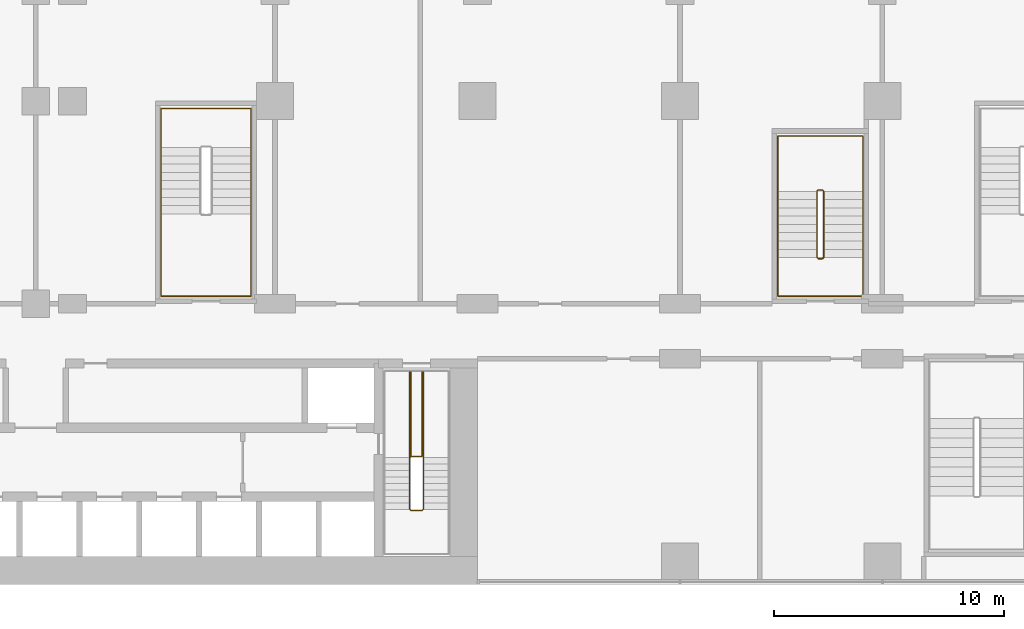
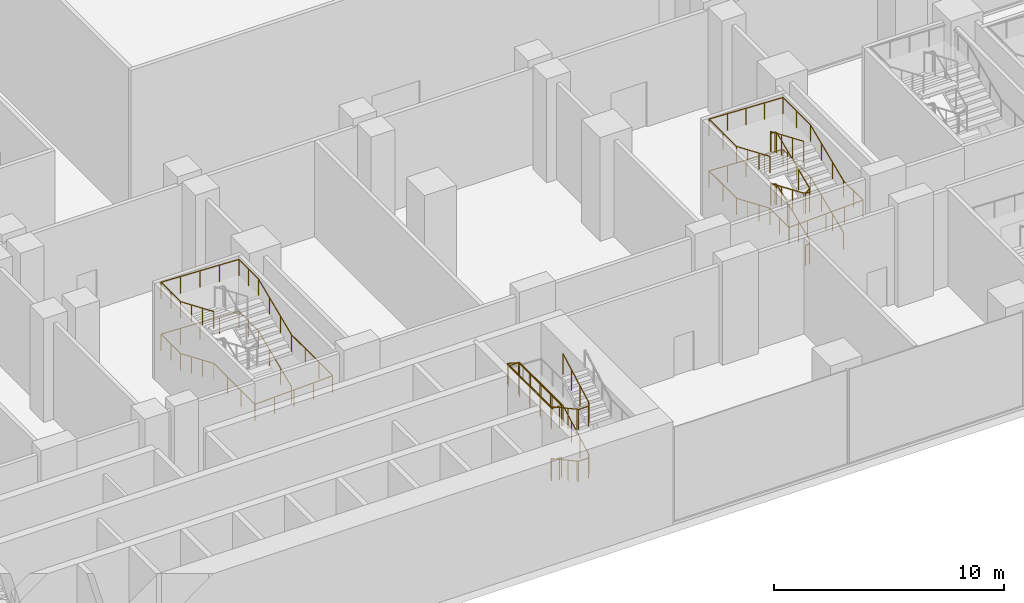
# One storey, part 26 of 30: 4 railings.
"""IFC4 building model written with IfcOpenShell, lengths in metres."""

from ifc_helpers import new_model, si_unit, direction, frame, origin, origin_2d, place, context, subcontext, project, spatial, circle, extrude, material, type_object, element, save


model = new_model("IFC4")

# Units and contexts
model_context = context("Model", 3, precision=1e-05, world=origin(), true_north=direction((0.0, 1.0)))
body_context = subcontext(model_context, "Body", "Model", "MODEL_VIEW")
ifc_project = project(units=[si_unit("LENGTHUNIT", "METRE"), si_unit("AREAUNIT", "SQUARE_METRE"), si_unit("VOLUMEUNIT", "CUBIC_METRE"), si_unit("PLANEANGLEUNIT", "RADIAN"), si_unit("MASSUNIT", "GRAM", prefix="KILO")], contexts=[model_context])

# Site, building, storey
site_placement = place(None, origin())
site = spatial("IfcSite", under=ifc_project, at=site_placement, CompositionType="ELEMENT")
building_placement = place(site_placement, origin())
building = spatial("IfcBuilding", under=site, at=building_placement, Name="Kemantara Hotel Tower", CompositionType="ELEMENT")
storey_placement = place(building_placement, frame((0.0, 0.0, 18.0)))
storey = spatial("IfcBuildingStorey", under=building, at=storey_placement, Name="L03", CompositionType="ELEMENT", Elevation=18.0)

# Railings
ifc_material = material(Name="Stainless steel balustrade", Category="steel")
railing_type_1 = type_object("IfcRailingType", Name="Stair guard 1100 mm", PredefinedType="GUARDRAIL", material=ifc_material)
railing_1_placement = place(storey_placement, frame((42.64990234375, 5.5, 5.5)))
element("IfcRailing", 1, at=railing_1_placement, inside=storey, type_object=railing_type_1, Name="L03 ST2 stair guard 1", PredefinedType="GUARDRAIL", context=body_context, shape_type="SweptSolid", body=[
    extrude(circle(Radius=0.02392578125, at=origin_2d()), frame((0.0, 0.0, 1.076171875), z_axis=(0.0, -0.87783706319, -0.478959382924), x_axis=(1.0, 0.0, 0.0)), (0.0, 0.0, 1.0), 2.5517578125),
    extrude(circle(Radius=0.02392578125, at=origin_2d()), frame((0.0, -2.239990234375, -0.14599609375), z_axis=(-0.295833358201, -0.297283521722, -0.907802363892), x_axis=(0.708833529934, -0.705375805398, 0.0)), (0.0, 0.0, 1.0), 0.16845703125),
    extrude(circle(Radius=0.02392578125, at=origin_2d()), frame((-0.0498046875, -2.2900390625, -0.298828125), z_axis=(-1.0, 0.0, 0.0), x_axis=(0.0, -1.0, 0.0)), (0.0, 0.0, 1.0), 0.5),
    extrude(circle(Radius=0.02392578125, at=origin_2d()), frame((-0.5498046875, -2.2900390625, -0.298828125), z_axis=(-0.707106781187, 0.707106781187, 0.0), x_axis=(-0.707106781187, -0.707106781187, 0.0)), (0.0, 0.0, 1.0), 0.07080078125),
    extrude(circle(Radius=0.02392578125, at=origin_2d()), frame((-0.599853515625, -2.239990234375, -0.298828125), z_axis=(0.0, 0.87783706319, -0.478959382924), x_axis=(-1.0, 0.0, 0.0)), (0.0, 0.0, 1.0), 2.5517578125),
    extrude(circle(Radius=0.02392578125, at=origin_2d()), frame((-0.599853515625, 0.0, -1.52099609375), z_axis=(0.0, 1.0, 0.0), x_axis=(-1.0, 0.0, 0.0)), (0.0, 0.0, 1.0), 3.780029296875),
    extrude(circle(Radius=0.02392578125, at=origin_2d()), frame((-0.599853515625, 3.780029296875, -1.52099609375), z_axis=(0.963499526908, 0.0, -0.267710032776), x_axis=(0.0, 1.0, 0.0)), (0.0, 0.0, 1.0), 0.57080078125),
    extrude(circle(Radius=0.02392578125, at=origin_2d()), frame((-0.0498046875, 3.780029296875, -1.673828125), z_axis=(0.0, -1.0, 0.0), x_axis=(1.0, 0.0, 0.0)), (0.0, 0.0, 1.0), 3.72998046875),
    extrude(circle(Radius=0.02392578125, at=origin_2d()), frame((-0.0498046875, 0.050048828125, -1.673828125), z_axis=(-1.0, 0.0, 0.0), x_axis=(0.0, -1.0, 0.0)), (0.0, 0.0, 1.0), 0.5),
    extrude(circle(Radius=0.02392578125, at=origin_2d()), frame((-0.5498046875, 0.050048828125, -1.673828125), z_axis=(0.0, 1.0, 0.0), x_axis=(-1.0, 0.0, 0.0)), (0.0, 0.0, 1.0), 3.72998046875),
    extrude(circle(Radius=0.02392578125, at=origin_2d()), frame((-0.5498046875, 3.780029296875, -1.673828125), z_axis=(1.0, 0.0, 0.0), x_axis=(0.0, 1.0, 0.0)), (0.0, 0.0, 1.0), 0.5498046875),
    extrude(circle(Radius=0.02392578125, at=origin_2d()), frame((0.0, 3.780029296875, -1.673828125), z_axis=(0.0, -1.0, 0.0), x_axis=(1.0, 0.0, 0.0)), (0.0, 0.0, 1.0), 3.780029296875),
    extrude(circle(Radius=0.02392578125, at=origin_2d()), frame((0.0, 0.0, -1.673828125), z_axis=(0.0, -0.87783706319, -0.478959382924), x_axis=(1.0, 0.0, 0.0)), (0.0, 0.0, 1.0), 2.5517578125),
    extrude(circle(Radius=0.02392578125, at=origin_2d()), frame((0.0, -2.239990234375, -2.89599609375), z_axis=(-0.295833358201, -0.297283521722, -0.907802363892), x_axis=(0.708833529934, -0.705375805398, 0.0)), (0.0, 0.0, 1.0), 0.16845703125),
    extrude(circle(Radius=0.02392578125, at=origin_2d()), frame((-0.0498046875, -2.2900390625, -3.048828125), z_axis=(-1.0, 0.0, 0.0), x_axis=(0.0, -1.0, 0.0)), (0.0, 0.0, 1.0), 0.5),
    extrude(circle(Radius=0.02392578125, at=origin_2d()), frame((-0.5498046875, -2.2900390625, -3.048828125), z_axis=(-0.707106781187, 0.707106781187, 0.0), x_axis=(-0.707106781187, -0.707106781187, 0.0)), (0.0, 0.0, 1.0), 0.07080078125),
    extrude(circle(Radius=0.02392578125, at=origin_2d()), frame((-0.599853515625, -2.239990234375, -3.048828125), z_axis=(0.0, 0.87783706319, -0.478959382924), x_axis=(-1.0, 0.0, 0.0)), (0.0, 0.0, 1.0), 2.5517578125),
    extrude(circle(Radius=0.02392578125, at=origin_2d()), frame((-0.599853515625, 0.0, -4.27099609375), z_axis=(0.297155754911, 0.297155754911, -0.90741220768), x_axis=(-0.707106781187, 0.707106781187, 0.0)), (0.0, 0.0, 1.0), 0.16845703125),
    extrude(circle(Radius=0.02392578125, at=origin_2d()), frame((-0.5498046875, 0.050048828125, -4.423828125), z_axis=(1.0, 0.0, 0.0), x_axis=(0.0, 1.0, 0.0)), (0.0, 0.0, 1.0), 0.5),
    extrude(circle(Radius=0.02099609375, at=origin_2d()), origin(), (0.0, 0.0, 1.0), 1.052001953125),
    extrude(circle(Radius=0.02099609375, at=origin_2d()), frame((0.0, -0.74658203125, -0.407470703125)), (0.0, 0.0, 1.0), 1.052001953125),
    extrude(circle(Radius=0.02099609375, at=origin_2d()), frame((0.0, -1.493408203125, -0.814697265625)), (0.0, 0.0, 1.0), 1.052001953125),
    extrude(circle(Radius=0.02099609375, at=origin_2d()), frame((0.0, -2.239990234375, -1.22216796875)), (0.0, 0.0, 1.0), 1.052001953125),
    extrude(circle(Radius=0.02099609375, at=origin_2d()), frame((-0.0498046875, -2.2900390625, -1.375)), (0.0, 0.0, 1.0), 1.052001953125),
    extrude(circle(Radius=0.02099609375, at=origin_2d()), frame((-0.5498046875, -2.2900390625, -1.375)), (0.0, 0.0, 1.0), 1.052001953125),
    extrude(circle(Radius=0.02099609375, at=origin_2d()), frame((-0.599853515625, -2.239990234375, -1.375)), (0.0, 0.0, 1.0), 1.052001953125),
    extrude(circle(Radius=0.02099609375, at=origin_2d()), frame((-0.599853515625, -1.493408203125, -1.782470703125)), (0.0, 0.0, 1.0), 1.052001953125),
    extrude(circle(Radius=0.02099609375, at=origin_2d()), frame((-0.599853515625, -0.74658203125, -2.189697265625)), (0.0, 0.0, 1.0), 1.052001953125),
    extrude(circle(Radius=0.02099609375, at=origin_2d()), frame((-0.599853515625, 0.0, -2.59716796875)), (0.0, 0.0, 1.0), 1.052001953125),
    extrude(circle(Radius=0.02099609375, at=origin_2d()), frame((-0.599853515625, 0.945068359375, -2.59716796875)), (0.0, 0.0, 1.0), 1.052001953125),
    extrude(circle(Radius=0.02099609375, at=origin_2d()), frame((-0.599853515625, 1.89013671875, -2.59716796875)), (0.0, 0.0, 1.0), 1.052001953125),
    extrude(circle(Radius=0.02099609375, at=origin_2d()), frame((-0.599853515625, 2.8349609375, -2.59716796875)), (0.0, 0.0, 1.0), 1.052001953125),
    extrude(circle(Radius=0.02099609375, at=origin_2d()), frame((-0.599853515625, 3.780029296875, -2.59716796875)), (0.0, 0.0, 1.0), 1.052001953125),
    extrude(circle(Radius=0.02099609375, at=origin_2d()), frame((-0.0498046875, 3.780029296875, -2.75)), (0.0, 0.0, 1.0), 1.052001953125),
    extrude(circle(Radius=0.02099609375, at=origin_2d()), frame((-0.0498046875, 2.84765625, -2.75)), (0.0, 0.0, 1.0), 1.052001953125),
    extrude(circle(Radius=0.02099609375, at=origin_2d()), frame((-0.0498046875, 1.9150390625, -2.75)), (0.0, 0.0, 1.0), 1.052001953125),
    extrude(circle(Radius=0.02099609375, at=origin_2d()), frame((-0.0498046875, 0.982421875, -2.75)), (0.0, 0.0, 1.0), 1.052001953125),
    extrude(circle(Radius=0.02099609375, at=origin_2d()), frame((-0.0498046875, 0.050048828125, -2.75)), (0.0, 0.0, 1.0), 1.052001953125),
    extrude(circle(Radius=0.02099609375, at=origin_2d()), frame((-0.5498046875, 0.050048828125, -2.75)), (0.0, 0.0, 1.0), 1.052001953125),
    extrude(circle(Radius=0.02099609375, at=origin_2d()), frame((-0.5498046875, 0.982421875, -2.75)), (0.0, 0.0, 1.0), 1.052001953125),
    extrude(circle(Radius=0.02099609375, at=origin_2d()), frame((-0.5498046875, 1.9150390625, -2.75)), (0.0, 0.0, 1.0), 1.052001953125),
    extrude(circle(Radius=0.02099609375, at=origin_2d()), frame((-0.5498046875, 2.84765625, -2.75)), (0.0, 0.0, 1.0), 1.052001953125),
    extrude(circle(Radius=0.02099609375, at=origin_2d()), frame((-0.5498046875, 3.780029296875, -2.75)), (0.0, 0.0, 1.0), 1.052001953125),
    extrude(circle(Radius=0.02099609375, at=origin_2d()), frame((0.0, 3.780029296875, -2.75)), (0.0, 0.0, 1.0), 1.052001953125),
    extrude(circle(Radius=0.02099609375, at=origin_2d()), frame((0.0, 2.8349609375, -2.75)), (0.0, 0.0, 1.0), 1.052001953125),
    extrude(circle(Radius=0.02099609375, at=origin_2d()), frame((0.0, 1.89013671875, -2.75)), (0.0, 0.0, 1.0), 1.052001953125),
    extrude(circle(Radius=0.02099609375, at=origin_2d()), frame((0.0, 0.945068359375, -2.75)), (0.0, 0.0, 1.0), 1.052001953125),
    extrude(circle(Radius=0.02099609375, at=origin_2d()), frame((0.0, 0.0, -2.75)), (0.0, 0.0, 1.0), 1.052001953125),
    extrude(circle(Radius=0.02099609375, at=origin_2d()), frame((0.0, -0.74658203125, -3.157470703125)), (0.0, 0.0, 1.0), 1.052001953125),
    extrude(circle(Radius=0.02099609375, at=origin_2d()), frame((0.0, -1.493408203125, -3.564697265625)), (0.0, 0.0, 1.0), 1.052001953125),
    extrude(circle(Radius=0.02099609375, at=origin_2d()), frame((0.0, -2.239990234375, -3.97216796875)), (0.0, 0.0, 1.0), 1.052001953125),
    extrude(circle(Radius=0.02099609375, at=origin_2d()), frame((-0.0498046875, -2.2900390625, -4.125)), (0.0, 0.0, 1.0), 1.052001953125),
    extrude(circle(Radius=0.02099609375, at=origin_2d()), frame((-0.5498046875, -2.2900390625, -4.125)), (0.0, 0.0, 1.0), 1.052001953125),
    extrude(circle(Radius=0.02099609375, at=origin_2d()), frame((-0.599853515625, -2.239990234375, -4.125)), (0.0, 0.0, 1.0), 1.052001953125),
    extrude(circle(Radius=0.02099609375, at=origin_2d()), frame((-0.599853515625, -1.493408203125, -4.532470703125)), (0.0, 0.0, 1.0), 1.052001953125),
    extrude(circle(Radius=0.02099609375, at=origin_2d()), frame((-0.599853515625, -0.74658203125, -4.939697265625)), (0.0, 0.0, 1.0), 1.052001953125),
    extrude(circle(Radius=0.02099609375, at=origin_2d()), frame((-0.599853515625, 0.0, -5.34716796875)), (0.0, 0.0, 1.0), 1.052001953125),
    extrude(circle(Radius=0.02099609375, at=origin_2d()), frame((-0.5498046875, 0.050048828125, -5.5)), (0.0, 0.0, 1.0), 1.052001953125),
    extrude(circle(Radius=0.02099609375, at=origin_2d()), frame((-0.0498046875, 0.050048828125, -5.5)), (0.0, 0.0, 1.0), 1.052001953125),
])
railing_2_placement = place(storey_placement, frame((59.75, 14.199951171875, 5.5)))
element("IfcRailing", 2, at=railing_2_placement, inside=storey, type_object=railing_type_1, Name="L03 ST3 stair guard 1", PredefinedType="GUARDRAIL", context=body_context, shape_type="SweptSolid", body=[
    extrude(circle(Radius=0.02392578125, at=origin_2d()), frame((0.0, 0.0, 1.076171875), z_axis=(0.0, 0.920547772064, -0.390630003133), x_axis=(-1.0, 0.0, 0.0)), (0.0, 0.0, 1.0), 3.128662109375),
    extrude(circle(Radius=0.02392578125, at=origin_2d()), frame((0.0, 2.880126953125, -0.14599609375), z_axis=(0.297283521722, 0.295833358201, -0.907802363892), x_axis=(-0.705375805398, 0.708833529934, 0.0)), (0.0, 0.0, 1.0), 0.16845703125),
    extrude(circle(Radius=0.02392578125, at=origin_2d()), frame((0.050048828125, 2.929931640625, -0.298828125), z_axis=(1.0, 0.0, 0.0), x_axis=(0.0, 1.0, 0.0)), (0.0, 0.0, 1.0), 0.199951171875),
    extrude(circle(Radius=0.02392578125, at=origin_2d()), frame((0.25, 2.929931640625, -0.298828125), z_axis=(0.708833529934, -0.705375805398, 0.0), x_axis=(0.705375805398, 0.708833529934, 0.0)), (0.0, 0.0, 1.0), 0.070556640625),
    extrude(circle(Radius=0.02392578125, at=origin_2d()), frame((0.300048828125, 2.880126953125, -0.298828125), z_axis=(0.0, -0.920547772064, -0.390630003133), x_axis=(1.0, 0.0, 0.0)), (0.0, 0.0, 1.0), 3.128662109375),
    extrude(circle(Radius=0.02392578125, at=origin_2d()), frame((0.300048828125, 0.0, -1.52099609375), z_axis=(-0.841019323802, -0.168368126347, -0.514138766309), x_axis=(0.196300278283, -0.98054382908, 0.0)), (0.0, 0.0, 1.0), 0.29736328125),
    extrude(circle(Radius=0.02392578125, at=origin_2d()), frame((0.050048828125, -0.050048828125, -1.673828125), z_axis=(1.0, 0.0, 0.0), x_axis=(0.0, 1.0, 0.0)), (0.0, 0.0, 1.0), 0.199951171875),
    extrude(circle(Radius=0.02392578125, at=origin_2d()), frame((0.25, -0.050048828125, -1.673828125), z_axis=(-0.98054382908, 0.196300278283, 0.0), x_axis=(-0.196300278283, -0.98054382908, 0.0)), (0.0, 0.0, 1.0), 0.2548828125),
    extrude(circle(Radius=0.02392578125, at=origin_2d()), frame((0.0, 0.0, -1.673828125), z_axis=(0.0, 0.920547772064, -0.390630003133), x_axis=(-1.0, 0.0, 0.0)), (0.0, 0.0, 1.0), 3.128662109375),
    extrude(circle(Radius=0.02392578125, at=origin_2d()), frame((0.0, 2.880126953125, -2.89599609375), z_axis=(0.297283521722, 0.295833358201, -0.907802363892), x_axis=(-0.705375805398, 0.708833529934, 0.0)), (0.0, 0.0, 1.0), 0.16845703125),
    extrude(circle(Radius=0.02392578125, at=origin_2d()), frame((0.050048828125, 2.929931640625, -3.048828125), z_axis=(1.0, 0.0, 0.0), x_axis=(0.0, 1.0, 0.0)), (0.0, 0.0, 1.0), 0.199951171875),
    extrude(circle(Radius=0.02392578125, at=origin_2d()), frame((0.25, 2.929931640625, -3.048828125), z_axis=(0.708833529934, -0.705375805398, 0.0), x_axis=(0.705375805398, 0.708833529934, 0.0)), (0.0, 0.0, 1.0), 0.070556640625),
    extrude(circle(Radius=0.02392578125, at=origin_2d()), frame((0.300048828125, 2.880126953125, -3.048828125), z_axis=(0.0, -0.920547772064, -0.390630003133), x_axis=(1.0, 0.0, 0.0)), (0.0, 0.0, 1.0), 3.128662109375),
    extrude(circle(Radius=0.02392578125, at=origin_2d()), frame((0.300048828125, 0.0, -4.27099609375), z_axis=(-0.297155754911, -0.297155754911, -0.90741220768), x_axis=(0.707106781187, -0.707106781187, 0.0)), (0.0, 0.0, 1.0), 0.16845703125),
    extrude(circle(Radius=0.02392578125, at=origin_2d()), frame((0.25, -0.050048828125, -4.423828125), z_axis=(-1.0, 0.0, 0.0), x_axis=(0.0, -1.0, 0.0)), (0.0, 0.0, 1.0), 0.199951171875),
    extrude(circle(Radius=0.02099609375, at=origin_2d()), origin(), (0.0, 0.0, 1.0), 1.052001953125),
    extrude(circle(Radius=0.02099609375, at=origin_2d()), frame((0.0, 0.9599609375, -0.407470703125)), (0.0, 0.0, 1.0), 1.052001953125),
    extrude(circle(Radius=0.02099609375, at=origin_2d()), frame((0.0, 1.920166015625, -0.814697265625)), (0.0, 0.0, 1.0), 1.052001953125),
    extrude(circle(Radius=0.02099609375, at=origin_2d()), frame((0.0, 2.880126953125, -1.22216796875)), (0.0, 0.0, 1.0), 1.052001953125),
    extrude(circle(Radius=0.02099609375, at=origin_2d()), frame((0.050048828125, 2.929931640625, -1.375)), (0.0, 0.0, 1.0), 1.052001953125),
    extrude(circle(Radius=0.02099609375, at=origin_2d()), frame((0.25, 2.929931640625, -1.375)), (0.0, 0.0, 1.0), 1.052001953125),
    extrude(circle(Radius=0.02099609375, at=origin_2d()), frame((0.300048828125, 2.880126953125, -1.375)), (0.0, 0.0, 1.0), 1.052001953125),
    extrude(circle(Radius=0.02099609375, at=origin_2d()), frame((0.300048828125, 1.920166015625, -1.782470703125)), (0.0, 0.0, 1.0), 1.052001953125),
    extrude(circle(Radius=0.02099609375, at=origin_2d()), frame((0.300048828125, 0.9599609375, -2.189697265625)), (0.0, 0.0, 1.0), 1.052001953125),
    extrude(circle(Radius=0.02099609375, at=origin_2d()), frame((0.300048828125, 0.0, -2.59716796875)), (0.0, 0.0, 1.0), 1.052001953125),
    extrude(circle(Radius=0.02099609375, at=origin_2d()), frame((0.050048828125, -0.050048828125, -2.75)), (0.0, 0.0, 1.0), 1.052001953125),
    extrude(circle(Radius=0.02099609375, at=origin_2d()), frame((0.25, -0.050048828125, -2.75)), (0.0, 0.0, 1.0), 1.052001953125),
    extrude(circle(Radius=0.02099609375, at=origin_2d()), frame((0.0, 0.0, -2.75)), (0.0, 0.0, 1.0), 1.052001953125),
    extrude(circle(Radius=0.02099609375, at=origin_2d()), frame((0.0, 0.9599609375, -3.157470703125)), (0.0, 0.0, 1.0), 1.052001953125),
    extrude(circle(Radius=0.02099609375, at=origin_2d()), frame((0.0, 1.920166015625, -3.564697265625)), (0.0, 0.0, 1.0), 1.052001953125),
    extrude(circle(Radius=0.02099609375, at=origin_2d()), frame((0.0, 2.880126953125, -3.97216796875)), (0.0, 0.0, 1.0), 1.052001953125),
    extrude(circle(Radius=0.02099609375, at=origin_2d()), frame((0.050048828125, 2.929931640625, -4.125)), (0.0, 0.0, 1.0), 1.052001953125),
    extrude(circle(Radius=0.02099609375, at=origin_2d()), frame((0.25, 2.929931640625, -4.125)), (0.0, 0.0, 1.0), 1.052001953125),
    extrude(circle(Radius=0.02099609375, at=origin_2d()), frame((0.300048828125, 2.880126953125, -4.125)), (0.0, 0.0, 1.0), 1.052001953125),
    extrude(circle(Radius=0.02099609375, at=origin_2d()), frame((0.300048828125, 1.920166015625, -4.532470703125)), (0.0, 0.0, 1.0), 1.052001953125),
    extrude(circle(Radius=0.02099609375, at=origin_2d()), frame((0.300048828125, 0.9599609375, -4.939697265625)), (0.0, 0.0, 1.0), 1.052001953125),
    extrude(circle(Radius=0.02099609375, at=origin_2d()), frame((0.300048828125, 0.0, -5.34716796875)), (0.0, 0.0, 1.0), 1.052001953125),
    extrude(circle(Radius=0.02099609375, at=origin_2d()), frame((0.25, -0.050048828125, -5.5)), (0.0, 0.0, 1.0), 1.052001953125),
    extrude(circle(Radius=0.02099609375, at=origin_2d()), frame((0.050048828125, -0.050048828125, -5.5)), (0.0, 0.0, 1.0), 1.052001953125),
])
railing_type_2 = type_object("IfcRailingType", Name="Stair handrail 900 mm", PredefinedType="HANDRAIL", material=ifc_material)
railing_3_placement = place(storey_placement, frame((61.75, 14.199951171875, 0.15283203125)))
element("IfcRailing", 3, at=railing_3_placement, inside=storey, type_object=railing_type_2, Name="L03 ST3 stair handrail 1", PredefinedType="HANDRAIL", context=body_context, shape_type="SweptSolid", body=[
    extrude(circle(Radius=0.02392578125, at=origin_2d()), frame((0.0, 0.0, 0.8759765625), z_axis=(0.0, 0.920547772064, 0.390630003133), x_axis=(-1.0, 0.0, 0.0)), (0.0, 0.0, 1.0), 3.128662109375),
    extrude(circle(Radius=0.02392578125, at=origin_2d()), frame((0.0, 2.880126953125, 2.09814453125), z_axis=(0.0, 1.0, 0.0), x_axis=(-1.0, 0.0, 0.0)), (0.0, 0.0, 1.0), 2.39990234375),
    extrude(circle(Radius=0.02392578125, at=origin_2d()), frame((0.0, 5.280029296875, 2.09814453125), z_axis=(-0.999147976703, 0.0, 0.041271305405), x_axis=(0.0, -1.0, 0.0)), (0.0, 0.0, 1.0), 3.703125),
    extrude(circle(Radius=0.02392578125, at=origin_2d()), frame((-3.699951171875, 5.280029296875, 2.2509765625), z_axis=(0.0, -1.0, 0.0), x_axis=(1.0, 0.0, 0.0)), (0.0, 0.0, 1.0), 2.39990234375),
    extrude(circle(Radius=0.02392578125, at=origin_2d()), frame((-3.699951171875, 2.880126953125, 2.2509765625), z_axis=(0.0, -0.920547772064, 0.390630003133), x_axis=(1.0, 0.0, 0.0)), (0.0, 0.0, 1.0), 3.128662109375),
    extrude(circle(Radius=0.02392578125, at=origin_2d()), frame((-3.699951171875, 0.0, 3.47314453125), z_axis=(0.0, -1.0, 0.0), x_axis=(1.0, 0.0, 0.0)), (0.0, 0.0, 1.0), 1.679931640625),
    extrude(circle(Radius=0.02392578125, at=origin_2d()), frame((-3.699951171875, -1.679931640625, 3.47314453125), z_axis=(0.999147976703, 0.0, 0.041271305405), x_axis=(0.0, 1.0, 0.0)), (0.0, 0.0, 1.0), 3.703125),
    extrude(circle(Radius=0.02392578125, at=origin_2d()), frame((0.0, -1.679931640625, 3.6259765625), z_axis=(0.0, 1.0, 0.0), x_axis=(-1.0, 0.0, 0.0)), (0.0, 0.0, 1.0), 1.679931640625),
    extrude(circle(Radius=0.02392578125, at=origin_2d()), frame((0.0, 0.0, 3.6259765625), z_axis=(0.0, 0.920547772064, 0.390630003133), x_axis=(-1.0, 0.0, 0.0)), (0.0, 0.0, 1.0), 3.128662109375),
    extrude(circle(Radius=0.02392578125, at=origin_2d()), frame((0.0, 2.880126953125, 4.84814453125), z_axis=(0.0, 1.0, 0.0), x_axis=(-1.0, 0.0, 0.0)), (0.0, 0.0, 1.0), 2.39990234375),
    extrude(circle(Radius=0.02392578125, at=origin_2d()), frame((0.0, 5.280029296875, 4.84814453125), z_axis=(-0.999147976703, 0.0, 0.041271305405), x_axis=(0.0, -1.0, 0.0)), (0.0, 0.0, 1.0), 3.703125),
    extrude(circle(Radius=0.02392578125, at=origin_2d()), frame((-3.699951171875, 5.280029296875, 5.0009765625), z_axis=(0.0, -1.0, 0.0), x_axis=(1.0, 0.0, 0.0)), (0.0, 0.0, 1.0), 2.39990234375),
    extrude(circle(Radius=0.02392578125, at=origin_2d()), frame((-3.699951171875, 2.880126953125, 5.0009765625), z_axis=(0.0, -0.920547772064, 0.390630003133), x_axis=(1.0, 0.0, 0.0)), (0.0, 0.0, 1.0), 3.128662109375),
    extrude(circle(Radius=0.02099609375, at=origin_2d()), origin(), (0.0, 0.0, 1.0), 0.851806640625),
    extrude(circle(Radius=0.02099609375, at=origin_2d()), frame((0.0, 0.9599609375, 0.407470703125)), (0.0, 0.0, 1.0), 0.851806640625),
    extrude(circle(Radius=0.02099609375, at=origin_2d()), frame((0.0, 1.920166015625, 0.814697265625)), (0.0, 0.0, 1.0), 0.851806640625),
    extrude(circle(Radius=0.02099609375, at=origin_2d()), frame((0.0, 2.880126953125, 1.22216796875)), (0.0, 0.0, 1.0), 0.851806640625),
    extrude(circle(Radius=0.02099609375, at=origin_2d()), frame((0.0, 4.080078125, 1.22216796875)), (0.0, 0.0, 1.0), 0.851806640625),
    extrude(circle(Radius=0.02099609375, at=origin_2d()), frame((0.0, 5.280029296875, 1.22216796875)), (0.0, 0.0, 1.0), 0.851806640625),
    extrude(circle(Radius=0.02099609375, at=origin_2d()), frame((-0.925048828125, 5.280029296875, 1.26025390625)), (0.0, 0.0, 1.0), 0.851806640625),
    extrude(circle(Radius=0.02099609375, at=origin_2d()), frame((-1.85009765625, 5.280029296875, 1.298583984375)), (0.0, 0.0, 1.0), 0.851806640625),
    extrude(circle(Radius=0.02099609375, at=origin_2d()), frame((-2.77490234375, 5.280029296875, 1.3369140625)), (0.0, 0.0, 1.0), 0.851806640625),
    extrude(circle(Radius=0.02099609375, at=origin_2d()), frame((-3.699951171875, 5.280029296875, 1.375)), (0.0, 0.0, 1.0), 0.851806640625),
    extrude(circle(Radius=0.02099609375, at=origin_2d()), frame((-3.699951171875, 4.080078125, 1.375)), (0.0, 0.0, 1.0), 0.851806640625),
    extrude(circle(Radius=0.02099609375, at=origin_2d()), frame((-3.699951171875, 2.880126953125, 1.375)), (0.0, 0.0, 1.0), 0.851806640625),
    extrude(circle(Radius=0.02099609375, at=origin_2d()), frame((-3.699951171875, 1.920166015625, 1.782470703125)), (0.0, 0.0, 1.0), 0.851806640625),
    extrude(circle(Radius=0.02099609375, at=origin_2d()), frame((-3.699951171875, 0.9599609375, 2.189697265625)), (0.0, 0.0, 1.0), 0.851806640625),
    extrude(circle(Radius=0.02099609375, at=origin_2d()), frame((-3.699951171875, 0.0, 2.59716796875)), (0.0, 0.0, 1.0), 0.851806640625),
    extrude(circle(Radius=0.02099609375, at=origin_2d()), frame((-3.699951171875, -0.83984375, 2.59716796875)), (0.0, 0.0, 1.0), 0.851806640625),
    extrude(circle(Radius=0.02099609375, at=origin_2d()), frame((-3.699951171875, -1.679931640625, 2.59716796875)), (0.0, 0.0, 1.0), 0.851806640625),
    extrude(circle(Radius=0.02099609375, at=origin_2d()), frame((-2.77490234375, -1.679931640625, 2.63525390625)), (0.0, 0.0, 1.0), 0.851806640625),
    extrude(circle(Radius=0.02099609375, at=origin_2d()), frame((-1.85009765625, -1.679931640625, 2.673583984375)), (0.0, 0.0, 1.0), 0.851806640625),
    extrude(circle(Radius=0.02099609375, at=origin_2d()), frame((-0.925048828125, -1.679931640625, 2.7119140625)), (0.0, 0.0, 1.0), 0.851806640625),
    extrude(circle(Radius=0.02099609375, at=origin_2d()), frame((0.0, -1.679931640625, 2.75)), (0.0, 0.0, 1.0), 0.851806640625),
    extrude(circle(Radius=0.02099609375, at=origin_2d()), frame((0.0, -0.83984375, 2.75)), (0.0, 0.0, 1.0), 0.851806640625),
    extrude(circle(Radius=0.02099609375, at=origin_2d()), frame((0.0, 0.0, 2.75)), (0.0, 0.0, 1.0), 0.851806640625),
    extrude(circle(Radius=0.02099609375, at=origin_2d()), frame((0.0, 0.9599609375, 3.157470703125)), (0.0, 0.0, 1.0), 0.851806640625),
    extrude(circle(Radius=0.02099609375, at=origin_2d()), frame((0.0, 1.920166015625, 3.564697265625)), (0.0, 0.0, 1.0), 0.851806640625),
    extrude(circle(Radius=0.02099609375, at=origin_2d()), frame((0.0, 2.880126953125, 3.97216796875)), (0.0, 0.0, 1.0), 0.851806640625),
    extrude(circle(Radius=0.02099609375, at=origin_2d()), frame((0.0, 4.080078125, 3.97216796875)), (0.0, 0.0, 1.0), 0.851806640625),
    extrude(circle(Radius=0.02099609375, at=origin_2d()), frame((0.0, 5.280029296875, 3.97216796875)), (0.0, 0.0, 1.0), 0.851806640625),
    extrude(circle(Radius=0.02099609375, at=origin_2d()), frame((-0.925048828125, 5.280029296875, 4.01025390625)), (0.0, 0.0, 1.0), 0.851806640625),
    extrude(circle(Radius=0.02099609375, at=origin_2d()), frame((-1.85009765625, 5.280029296875, 4.048583984375)), (0.0, 0.0, 1.0), 0.851806640625),
    extrude(circle(Radius=0.02099609375, at=origin_2d()), frame((-2.77490234375, 5.280029296875, 4.0869140625)), (0.0, 0.0, 1.0), 0.851806640625),
    extrude(circle(Radius=0.02099609375, at=origin_2d()), frame((-3.699951171875, 5.280029296875, 4.125)), (0.0, 0.0, 1.0), 0.851806640625),
    extrude(circle(Radius=0.02099609375, at=origin_2d()), frame((-3.699951171875, 4.080078125, 4.125)), (0.0, 0.0, 1.0), 0.851806640625),
    extrude(circle(Radius=0.02099609375, at=origin_2d()), frame((-3.699951171875, 2.880126953125, 4.125)), (0.0, 0.0, 1.0), 0.851806640625),
    extrude(circle(Radius=0.02099609375, at=origin_2d()), frame((-3.699951171875, 1.920166015625, 4.532470703125)), (0.0, 0.0, 1.0), 0.851806640625),
    extrude(circle(Radius=0.02099609375, at=origin_2d()), frame((-3.699951171875, 0.9599609375, 4.939697265625)), (0.0, 0.0, 1.0), 0.851806640625),
    extrude(circle(Radius=0.02099609375, at=origin_2d()), frame((-3.699951171875, 0.0, 5.34716796875)), (0.0, 0.0, 1.0), 0.851806640625),
])
railing_4_placement = place(storey_placement, frame((35.14990234375, 16.10009765625, 0.15283203125)))
element("IfcRailing", 4, at=railing_4_placement, inside=storey, type_object=railing_type_2, Name="L03 PS3 stair handrail 1", PredefinedType="HANDRAIL", context=body_context, shape_type="SweptSolid", body=[
    extrude(circle(Radius=0.02392578125, at=origin_2d()), frame((0.0, 0.0, 0.8759765625), z_axis=(0.0, 0.920535863683, 0.390658064903), x_axis=(-1.0, 0.0, 0.0)), (0.0, 0.0, 1.0), 3.12841796875),
    extrude(circle(Radius=0.02392578125, at=origin_2d()), frame((0.0, 2.8798828125, 2.09814453125), z_axis=(0.0, 1.0, 0.0), x_axis=(-1.0, 0.0, 0.0)), (0.0, 0.0, 1.0), 1.699951171875),
    extrude(circle(Radius=0.02392578125, at=origin_2d()), frame((0.0, 4.579833984375, 2.09814453125), z_axis=(-0.999233006938, 0.0, 0.039158624161), x_axis=(0.0, -1.0, 0.0)), (0.0, 0.0, 1.0), 3.90283203125),
    extrude(circle(Radius=0.02392578125, at=origin_2d()), frame((-3.89990234375, 4.579833984375, 2.2509765625), z_axis=(0.0, -1.0, 0.0), x_axis=(1.0, 0.0, 0.0)), (0.0, 0.0, 1.0), 1.699951171875),
    extrude(circle(Radius=0.02392578125, at=origin_2d()), frame((-3.89990234375, 2.8798828125, 2.2509765625), z_axis=(0.0, -0.920535863683, 0.390658064903), x_axis=(1.0, 0.0, 0.0)), (0.0, 0.0, 1.0), 3.12841796875),
    extrude(circle(Radius=0.02392578125, at=origin_2d()), frame((-3.89990234375, 0.0, 3.47314453125), z_axis=(0.0, -1.0, 0.0), x_axis=(1.0, 0.0, 0.0)), (0.0, 0.0, 1.0), 3.580078125),
    extrude(circle(Radius=0.02392578125, at=origin_2d()), frame((-3.89990234375, -3.580078125, 3.47314453125), z_axis=(0.999233006938, 0.0, 0.039158624161), x_axis=(0.0, 1.0, 0.0)), (0.0, 0.0, 1.0), 3.90283203125),
    extrude(circle(Radius=0.02392578125, at=origin_2d()), frame((0.0, -3.580078125, 3.6259765625), z_axis=(0.0, 1.0, 0.0), x_axis=(-1.0, 0.0, 0.0)), (0.0, 0.0, 1.0), 3.580078125),
    extrude(circle(Radius=0.02392578125, at=origin_2d()), frame((0.0, 0.0, 3.6259765625), z_axis=(0.0, 0.920535863683, 0.390658064903), x_axis=(-1.0, 0.0, 0.0)), (0.0, 0.0, 1.0), 3.12841796875),
    extrude(circle(Radius=0.02392578125, at=origin_2d()), frame((0.0, 2.8798828125, 4.84814453125), z_axis=(0.0, 1.0, 0.0), x_axis=(-1.0, 0.0, 0.0)), (0.0, 0.0, 1.0), 1.699951171875),
    extrude(circle(Radius=0.02392578125, at=origin_2d()), frame((0.0, 4.579833984375, 4.84814453125), z_axis=(-0.999233006938, 0.0, 0.039158624161), x_axis=(0.0, -1.0, 0.0)), (0.0, 0.0, 1.0), 3.90283203125),
    extrude(circle(Radius=0.02392578125, at=origin_2d()), frame((-3.89990234375, 4.579833984375, 5.0009765625), z_axis=(0.0, -1.0, 0.0), x_axis=(1.0, 0.0, 0.0)), (0.0, 0.0, 1.0), 1.699951171875),
    extrude(circle(Radius=0.02392578125, at=origin_2d()), frame((-3.89990234375, 2.8798828125, 5.0009765625), z_axis=(0.0, -0.920535863683, 0.390658064903), x_axis=(1.0, 0.0, 0.0)), (0.0, 0.0, 1.0), 3.12841796875),
    extrude(circle(Radius=0.02099609375, at=origin_2d()), origin(), (0.0, 0.0, 1.0), 0.851806640625),
    extrude(circle(Radius=0.02099609375, at=origin_2d()), frame((0.0, 0.9599609375, 0.407470703125)), (0.0, 0.0, 1.0), 0.851806640625),
    extrude(circle(Radius=0.02099609375, at=origin_2d()), frame((0.0, 1.919921875, 0.814697265625)), (0.0, 0.0, 1.0), 0.851806640625),
    extrude(circle(Radius=0.02099609375, at=origin_2d()), frame((0.0, 2.8798828125, 1.22216796875)), (0.0, 0.0, 1.0), 0.851806640625),
    extrude(circle(Radius=0.02099609375, at=origin_2d()), frame((0.0, 3.72998046875, 1.22216796875)), (0.0, 0.0, 1.0), 0.851806640625),
    extrude(circle(Radius=0.02099609375, at=origin_2d()), frame((0.0, 4.579833984375, 1.22216796875)), (0.0, 0.0, 1.0), 0.851806640625),
    extrude(circle(Radius=0.02099609375, at=origin_2d()), frame((-0.97509765625, 4.579833984375, 1.26025390625)), (0.0, 0.0, 1.0), 0.851806640625),
    extrude(circle(Radius=0.02099609375, at=origin_2d()), frame((-1.949951171875, 4.579833984375, 1.298583984375)), (0.0, 0.0, 1.0), 0.851806640625),
    extrude(circle(Radius=0.02099609375, at=origin_2d()), frame((-2.9248046875, 4.579833984375, 1.3369140625)), (0.0, 0.0, 1.0), 0.851806640625),
    extrude(circle(Radius=0.02099609375, at=origin_2d()), frame((-3.89990234375, 4.579833984375, 1.375)), (0.0, 0.0, 1.0), 0.851806640625),
    extrude(circle(Radius=0.02099609375, at=origin_2d()), frame((-3.89990234375, 3.72998046875, 1.375)), (0.0, 0.0, 1.0), 0.851806640625),
    extrude(circle(Radius=0.02099609375, at=origin_2d()), frame((-3.89990234375, 2.8798828125, 1.375)), (0.0, 0.0, 1.0), 0.851806640625),
    extrude(circle(Radius=0.02099609375, at=origin_2d()), frame((-3.89990234375, 1.919921875, 1.782470703125)), (0.0, 0.0, 1.0), 0.851806640625),
    extrude(circle(Radius=0.02099609375, at=origin_2d()), frame((-3.89990234375, 0.9599609375, 2.189697265625)), (0.0, 0.0, 1.0), 0.851806640625),
    extrude(circle(Radius=0.02099609375, at=origin_2d()), frame((-3.89990234375, 0.0, 2.59716796875)), (0.0, 0.0, 1.0), 0.851806640625),
    extrude(circle(Radius=0.02099609375, at=origin_2d()), frame((-3.89990234375, -1.193359375, 2.59716796875)), (0.0, 0.0, 1.0), 0.851806640625),
    extrude(circle(Radius=0.02099609375, at=origin_2d()), frame((-3.89990234375, -2.38671875, 2.59716796875)), (0.0, 0.0, 1.0), 0.851806640625),
    extrude(circle(Radius=0.02099609375, at=origin_2d()), frame((-3.89990234375, -3.580078125, 2.59716796875)), (0.0, 0.0, 1.0), 0.851806640625),
    extrude(circle(Radius=0.02099609375, at=origin_2d()), frame((-2.9248046875, -3.580078125, 2.63525390625)), (0.0, 0.0, 1.0), 0.851806640625),
    extrude(circle(Radius=0.02099609375, at=origin_2d()), frame((-1.949951171875, -3.580078125, 2.673583984375)), (0.0, 0.0, 1.0), 0.851806640625),
    extrude(circle(Radius=0.02099609375, at=origin_2d()), frame((-0.97509765625, -3.580078125, 2.7119140625)), (0.0, 0.0, 1.0), 0.851806640625),
    extrude(circle(Radius=0.02099609375, at=origin_2d()), frame((0.0, -3.580078125, 2.75)), (0.0, 0.0, 1.0), 0.851806640625),
    extrude(circle(Radius=0.02099609375, at=origin_2d()), frame((0.0, -2.38671875, 2.75)), (0.0, 0.0, 1.0), 0.851806640625),
    extrude(circle(Radius=0.02099609375, at=origin_2d()), frame((0.0, -1.193359375, 2.75)), (0.0, 0.0, 1.0), 0.851806640625),
    extrude(circle(Radius=0.02099609375, at=origin_2d()), frame((0.0, 0.0, 2.75)), (0.0, 0.0, 1.0), 0.851806640625),
    extrude(circle(Radius=0.02099609375, at=origin_2d()), frame((0.0, 0.9599609375, 3.157470703125)), (0.0, 0.0, 1.0), 0.851806640625),
    extrude(circle(Radius=0.02099609375, at=origin_2d()), frame((0.0, 1.919921875, 3.564697265625)), (0.0, 0.0, 1.0), 0.851806640625),
    extrude(circle(Radius=0.02099609375, at=origin_2d()), frame((0.0, 2.8798828125, 3.97216796875)), (0.0, 0.0, 1.0), 0.851806640625),
    extrude(circle(Radius=0.02099609375, at=origin_2d()), frame((0.0, 3.72998046875, 3.97216796875)), (0.0, 0.0, 1.0), 0.851806640625),
    extrude(circle(Radius=0.02099609375, at=origin_2d()), frame((0.0, 4.579833984375, 3.97216796875)), (0.0, 0.0, 1.0), 0.851806640625),
    extrude(circle(Radius=0.02099609375, at=origin_2d()), frame((-0.97509765625, 4.579833984375, 4.01025390625)), (0.0, 0.0, 1.0), 0.851806640625),
    extrude(circle(Radius=0.02099609375, at=origin_2d()), frame((-1.949951171875, 4.579833984375, 4.048583984375)), (0.0, 0.0, 1.0), 0.851806640625),
    extrude(circle(Radius=0.02099609375, at=origin_2d()), frame((-2.9248046875, 4.579833984375, 4.0869140625)), (0.0, 0.0, 1.0), 0.851806640625),
    extrude(circle(Radius=0.02099609375, at=origin_2d()), frame((-3.89990234375, 4.579833984375, 4.125)), (0.0, 0.0, 1.0), 0.851806640625),
    extrude(circle(Radius=0.02099609375, at=origin_2d()), frame((-3.89990234375, 3.72998046875, 4.125)), (0.0, 0.0, 1.0), 0.851806640625),
    extrude(circle(Radius=0.02099609375, at=origin_2d()), frame((-3.89990234375, 2.8798828125, 4.125)), (0.0, 0.0, 1.0), 0.851806640625),
    extrude(circle(Radius=0.02099609375, at=origin_2d()), frame((-3.89990234375, 1.919921875, 4.532470703125)), (0.0, 0.0, 1.0), 0.851806640625),
    extrude(circle(Radius=0.02099609375, at=origin_2d()), frame((-3.89990234375, 0.9599609375, 4.939697265625)), (0.0, 0.0, 1.0), 0.851806640625),
    extrude(circle(Radius=0.02099609375, at=origin_2d()), frame((-3.89990234375, 0.0, 5.34716796875)), (0.0, 0.0, 1.0), 0.851806640625),
])

save(model, "model.ifc")
